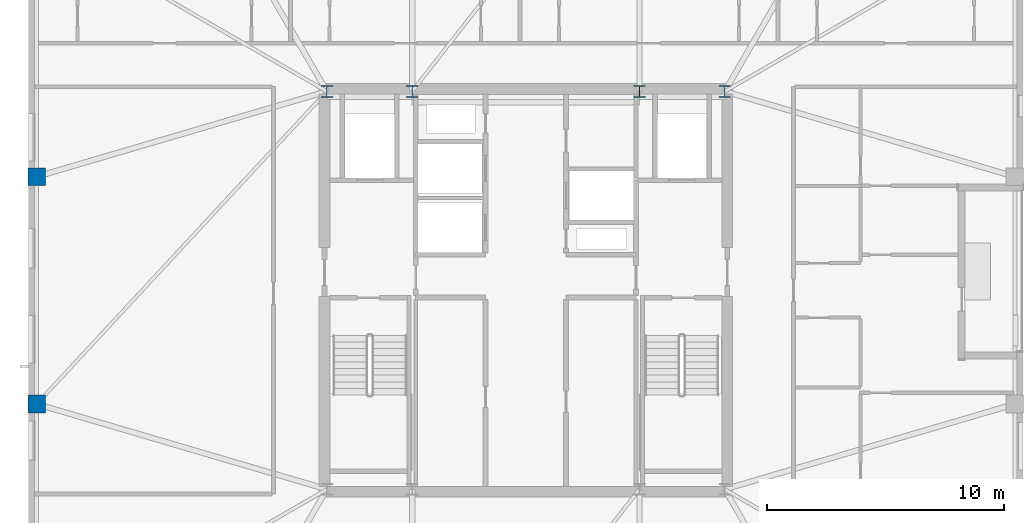
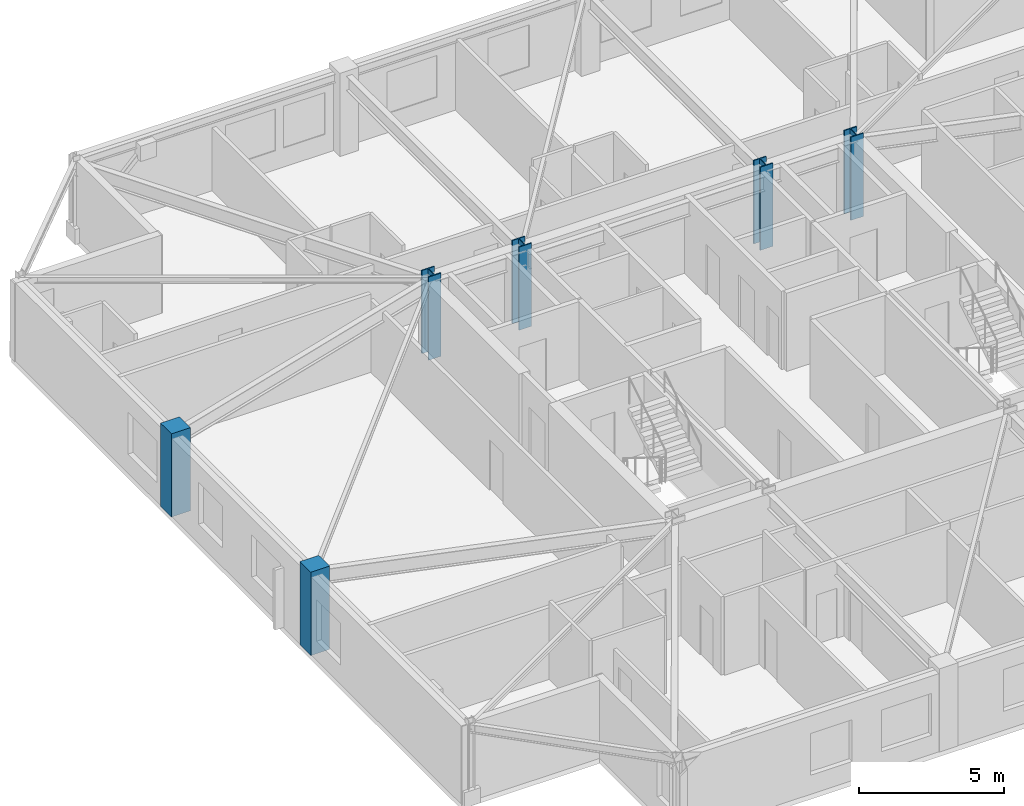
# One storey, part 2 of 14: 6 columns.
"""IFC4 building model written with IfcOpenShell, lengths in metres."""

from ifc_helpers import new_model, si_unit, direction, frame, origin, origin_2d, place, context, subcontext, project, spatial, rectangle, i_section, extrude, material, material_profile, profile_set, type_object, element, save


model = new_model("IFC4")

# Units and contexts
model_context = context("Model", 3, precision=1e-05, world=origin(), true_north=direction((0.0, 1.0)))
body_context = subcontext(model_context, "Body", "Model", "MODEL_VIEW")
ifc_project = project(units=[si_unit("LENGTHUNIT", "METRE"), si_unit("AREAUNIT", "SQUARE_METRE"), si_unit("VOLUMEUNIT", "CUBIC_METRE"), si_unit("PLANEANGLEUNIT", "RADIAN"), si_unit("MASSUNIT", "GRAM", prefix="KILO")], contexts=[model_context])

# Site, building, storey
site_placement = place(None, origin())
site = spatial("IfcSite", under=ifc_project, at=site_placement, CompositionType="ELEMENT")
building_placement = place(site_placement, origin())
building = spatial("IfcBuilding", under=site, at=building_placement, Name="Cairnveth Concourse Tower", CompositionType="ELEMENT")
storey_placement = place(building_placement, frame((0.0, 0.0, 308.5)))
storey = spatial("IfcBuildingStorey", under=building, at=storey_placement, Name="L85", CompositionType="ELEMENT", Elevation=308.5)

# Columns
ifc_material_1 = material(Name="Concrete N50 (50 MPa)", Category="concrete")
ifc_material_profile_1 = material_profile(ifc_material_1, rectangle(XDim=0.75, YDim=0.75, at=origin_2d()), Name="RC-COL-750x750")
ifc_profile_set_1 = profile_set([ifc_material_profile_1], Name="Concrete N50 (50 MPa)")
column_type_1 = type_object("IfcColumnType", Name="PERIMETER PIER COLUMN 750X750", PredefinedType="COLUMN", material=ifc_profile_set_1)
for number, where, z_axis, x_axis, name in (
    (1, (31.35009765625, 43.800048828125, 0.0), (0.0, 0.0, 1.0), (0.0, 1.0, 0.0), "Column P-W2 L85"),
    (2, (31.35009765625, 34.199951171875, 0.0), (0.0, 0.0, 1.0), (0.0, 1.0, 0.0), "Column P-W3 L85"),
):
    element("IfcColumn", number, at=place(storey_placement, frame(where, z_axis=z_axis, x_axis=x_axis)), inside=storey, type_object=column_type_1, Name=name, PredefinedType="COLUMN", context=body_context, shape_type="SweptSolid", body=[
        extrude(rectangle(XDim=0.75, YDim=0.75, at=origin_2d()), origin(), (0.0, 0.0, 1.0), 3.5),
    ])
ifc_material_2 = material(Name="Steel Grade 350", Category="steel")
ifc_material_profile_2 = material_profile(ifc_material_2, i_section(OverallWidth=0.5, OverallDepth=0.5, WebThickness=0.028076171875, FlangeThickness=0.044921875, at=origin_2d()), Name="500WC383")
ifc_profile_set_2 = profile_set([ifc_material_profile_2], Name="Steel Grade 350")
column_type_2 = type_object("IfcColumnType", Name="WELDED STEEL COLUMN 500WC383", PredefinedType="COLUMN", material=ifc_profile_set_2)
for number, where, z_axis, x_axis, name in (
    (3, (43.60009765625, 47.39990234375, 0.0), (0.0, 0.0, 1.0), (1.0, 0.0, 0.0), "Column CC5 L85"),
    (4, (47.199951171875, 47.39990234375, 0.0), (0.0, 0.0, 1.0), (1.0, 0.0, 0.0), "Column CC6 L85"),
    (5, (56.800048828125, 47.39990234375, 0.0), (0.0, 0.0, 1.0), (1.0, 0.0, 0.0), "Column CC7 L85"),
    (6, (60.39990234375, 47.39990234375, 0.0), (0.0, 0.0, 1.0), (1.0, 0.0, 0.0), "Column CC8 L85"),
):
    element("IfcColumn", number, at=place(storey_placement, frame(where, z_axis=z_axis, x_axis=x_axis)), inside=storey, type_object=column_type_2, Name=name, PredefinedType="COLUMN", context=body_context, shape_type="SweptSolid", body=[
        extrude(i_section(OverallWidth=0.5, OverallDepth=0.5, WebThickness=0.028076171875, FlangeThickness=0.044921875, at=origin_2d()), origin(), (0.0, 0.0, 1.0), 3.5),
    ])

save(model, "model.ifc")
